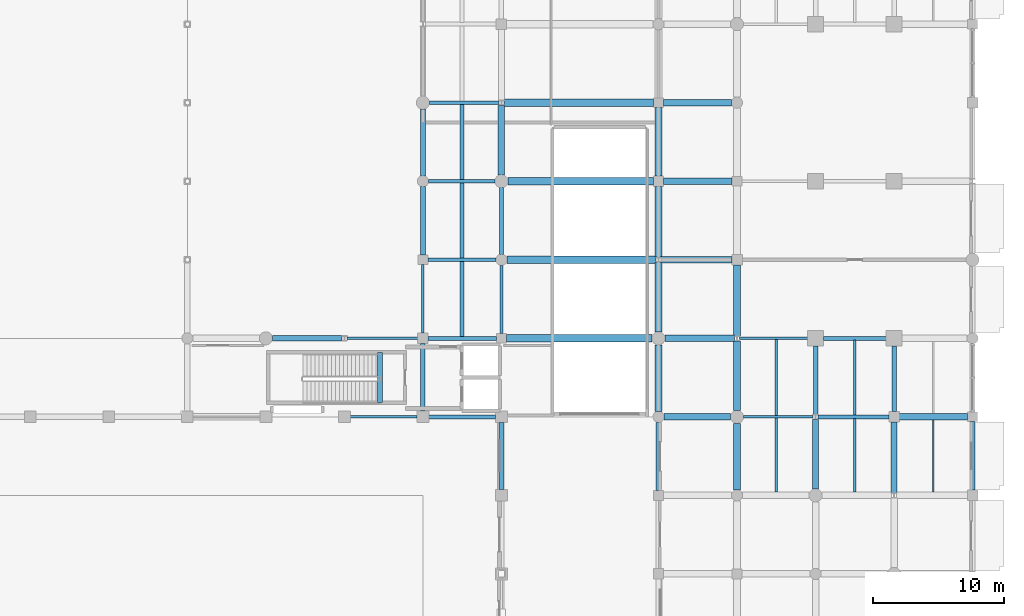
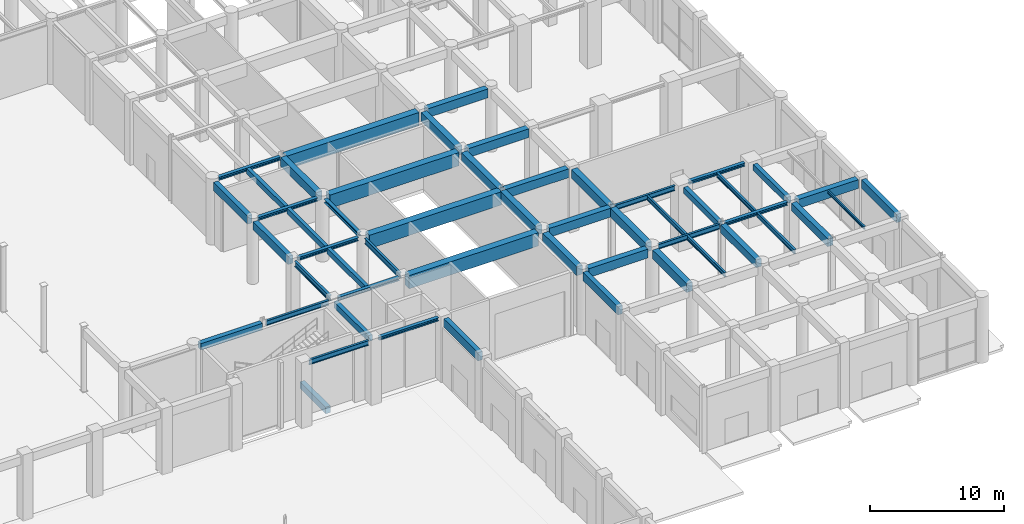
# One storey, part 56 of 106: 52 beams.
"""IFC4 building model written with IfcOpenShell, lengths in metres."""

import ifcopenshell
import ifcopenshell.guid

model = None  # the IFC model being written
_history = None  # IfcOwnerHistory: only IFC2X3 demands one
_inside = {}  # id of a spatial element -> (the spatial element, [elements in it])
_under = {}  # id of a project, library or spatial element -> (it, [spatial elements below it])
_declared = {}  # id of a project -> (the project, [libraries it declares])
_typed = {}  # id of a type object -> (the type object, [elements of that type])
_made_of = {}  # id of a material, layer set ... -> (it, [elements and type objects made of it])


def new_model(schema):
    """Start an empty IFC model of exactly this schema.

    Asked for "IFC4X3", IfcOpenShell would pick the latest addendum, in which some entities
    have other attributes; the version numbers below select the first issue.
    IFC2X3 requires an IfcOwnerHistory on every rooted entity: one is made here for all.
    """
    global model, _history
    if schema == "IFC4X3":
        model = ifcopenshell.file(schema_version=(4, 3, 0, 0))
    else:
        model = ifcopenshell.file(schema=schema)
    _inside.clear()
    _under.clear()
    _declared.clear()
    _typed.clear()
    _made_of.clear()
    _history = None
    if model.schema == "IFC2X3":
        org = make("IfcOrganization", Name="unknown")
        user = make(
            "IfcPersonAndOrganization",
            ThePerson=make("IfcPerson", FamilyName="unknown"),
            TheOrganization=org,
        )
        app = make(
            "IfcApplication",
            ApplicationDeveloper=org,
            Version="unknown",
            ApplicationFullName="unknown",
            ApplicationIdentifier="unknown",
        )
        _history = make(
            "IfcOwnerHistory",
            OwningUser=user,
            OwningApplication=app,
            ChangeAction="ADDED",
            CreationDate=0,
        )
    return model


def make(cls, **values):
    """One entity of the class cls with the attributes given. An attribute that is None is left unset."""
    return model.create_entity(
        cls, **{name: value for name, value in values.items() if value is not None}
    )


def rooted(cls, **values):
    """An entity with a GlobalId (a new one), such as an element, a storey or a relation."""
    return make(cls, GlobalId=ifcopenshell.guid.new(), OwnerHistory=_history, **values)


def si_unit(unit_type, name, prefix=None):
    """IfcSIUnit, for example si_unit("LENGTHUNIT", "METRE", prefix="MILLI")."""
    return make("IfcSIUnit", UnitType=unit_type, Prefix=prefix, Name=name)


def assignment(units):
    """IfcUnitAssignment: the units of a project."""
    return None if units is None else make("IfcUnitAssignment", Units=units)


def point(xyz):
    """IfcCartesianPoint."""
    return None if xyz is None else make("IfcCartesianPoint", Coordinates=xyz)


def direction(xyz):
    """IfcDirection."""
    return None if xyz is None else make("IfcDirection", DirectionRatios=xyz)


def frame(location, z_axis=None, x_axis=None):
    """IfcAxis2Placement3D, a coordinate frame: its origin and axes. An axis left out is left unset."""
    return make(
        "IfcAxis2Placement3D",
        Location=point(location),
        Axis=direction(z_axis),
        RefDirection=direction(x_axis),
    )


def frame_2d(location, x_axis=None):
    """IfcAxis2Placement2D, a coordinate frame in the plane: its origin and x axis."""
    return make(
        "IfcAxis2Placement2D", Location=point(location), RefDirection=direction(x_axis)
    )


def origin():
    """The frame at (0, 0, 0) with its axes left unset."""
    return frame((0.0, 0.0, 0.0))


def origin_2d():
    """The frame at (0, 0) in the plane with its x axis left unset."""
    return frame_2d((0.0, 0.0))


def place(relative_to, where):
    """IfcLocalPlacement: puts the frame where relative to a parent placement (None: the world)."""
    return make(
        "IfcLocalPlacement", PlacementRelTo=relative_to, RelativePlacement=where
    )


def context(
    kind, dimensions, precision=None, world=None, true_north=None, identifier=None
):
    """IfcGeometricRepresentationContext, for example the 3D "Model" context."""
    return make(
        "IfcGeometricRepresentationContext",
        ContextIdentifier=identifier,
        ContextType=kind,
        CoordinateSpaceDimension=dimensions,
        Precision=precision,
        WorldCoordinateSystem=world,
        TrueNorth=true_north,
    )


def subcontext(parent, identifier, kind, view, scale=None):
    """IfcGeometricRepresentationSubContext, for example "Body" below "Model"."""
    return make(
        "IfcGeometricRepresentationSubContext",
        ContextIdentifier=identifier,
        ContextType=kind,
        ParentContext=parent,
        TargetScale=scale,
        TargetView=view,
    )


def project(units=None, contexts=None):
    """IfcProject with its units and contexts."""
    return rooted(
        "IfcProject",
        Name="project",
        RepresentationContexts=contexts,
        UnitsInContext=assignment(units),
    )


def spatial(cls, under=None, at=None, **own):
    """A site, building, storey or space (cls), placed at a placement, below another one or the project."""
    s = rooted(cls, ObjectPlacement=at, **own)
    if under is not None:
        _under.setdefault(under.id(), (under, []))[1].append(s)
    return s


def profile(cls, at=None, kind="AREA", **sizes):
    """A parametric profile (cls). Its sizes go by their IFC names, for example OverallWidth=200.0."""
    return make(cls, ProfileType=kind, Position=at, **sizes)


def rectangle(**sizes):
    """IfcRectangleProfileDef."""
    return profile("IfcRectangleProfileDef", **sizes)


def i_section(**sizes):
    """IfcIShapeProfileDef."""
    return profile("IfcIShapeProfileDef", **sizes)


def extrude(swept, where, along, depth):
    """IfcExtrudedAreaSolid: the profile swept, set in the frame where, extruded along a direction by depth."""
    return make(
        "IfcExtrudedAreaSolid",
        SweptArea=swept,
        Position=where,
        ExtrudedDirection=direction(along),
        Depth=depth,
    )


def shape(context_of_items, identifier, shape_type, items):
    """IfcShapeRepresentation: the items that make up one representation, for example the "Body"."""
    return make(
        "IfcShapeRepresentation",
        ContextOfItems=context_of_items,
        RepresentationIdentifier=identifier,
        RepresentationType=shape_type,
        Items=items,
    )


def material(Name=None, Category=None):
    """IfcMaterial."""
    return make("IfcMaterial", Name=Name, Category=Category)


def material_profile(
    of_material, cross_section, Name=None, Category=None, Priority=None
):
    """IfcMaterialProfile: a cross section and its material."""
    return make(
        "IfcMaterialProfile",
        Name=Name,
        Material=of_material,
        Profile=cross_section,
        Priority=Priority,
        Category=Category,
    )


def profile_set(profiles, Name=None, composite=None):
    """IfcMaterialProfileSet."""
    return make(
        "IfcMaterialProfileSet",
        Name=Name,
        MaterialProfiles=profiles,
        CompositeProfile=composite,
    )


def made_of(thing, what):
    """Note that an element or type object is made of a material, layer set ...; save() writes the relation."""
    if what is not None:
        _made_of.setdefault(what.id(), (what, []))[1].append(thing)
    return thing


def type_object(cls, material=None, **own):
    """A type object (cls), such as IfcWallType, which elements share."""
    return made_of(rooted(cls, **own), material)


def element(
    cls,
    number,
    at=None,
    inside=None,
    cuts=None,
    type_object=None,
    material=None,
    context=None,
    identifier="Body",
    shape_type=None,
    held_by="IfcProductDefinitionShape",
    body=None,
    shapes=None,
    **own,
):
    """One element of the class cls, such as IfcWall. Its Tag is "e" and its number.

    at: its placement. inside: the storey or other place that contains it. cuts: it is an
    opening in that element (IfcRelVoidsElement). A single representation is given by context,
    identifier, shape_type and body (its items); several are given by shapes. held_by: the class
    of the entity that holds the representations. save() writes the other relations.
    """
    e = rooted(cls, Tag="e%d" % number, ObjectPlacement=at, **own)
    if body is not None:
        shapes = [shape(context, identifier, shape_type, body)]
    if shapes is not None:
        e.Representation = make(held_by, Representations=shapes)
    if inside is not None:
        _inside.setdefault(inside.id(), (inside, []))[1].append(e)
    if cuts is not None:
        rooted(
            "IfcRelVoidsElement", RelatingBuildingElement=cuts, RelatedOpeningElement=e
        )
    if type_object is not None:
        _typed.setdefault(type_object.id(), (type_object, []))[1].append(e)
    return made_of(e, material)


def aggregate(whole, parts):
    """IfcRelAggregates: a whole, such as a stair, and the parts it consists of."""
    return rooted("IfcRelAggregates", RelatingObject=whole, RelatedObjects=parts)


def save(model, path):
    """Write the relations noted so far, then the file.

    IfcRelAggregates (storeys below a building ...), IfcRelContainedInSpatialStructure (elements
    in a storey), IfcRelDefinesByType, IfcRelAssociatesMaterial and IfcRelDeclares: one each for
    every whole, place, type object, material and project.
    """
    for whole, parts in _under.values():
        aggregate(whole, parts)
    for where, things in _inside.values():
        rooted(
            "IfcRelContainedInSpatialStructure",
            RelatedElements=things,
            RelatingStructure=where,
        )
    for kind, things in _typed.values():
        rooted("IfcRelDefinesByType", RelatedObjects=things, RelatingType=kind)
    for what, things in _made_of.values():
        rooted("IfcRelAssociatesMaterial", RelatedObjects=things, RelatingMaterial=what)
    for by, libraries in _declared.values():
        rooted("IfcRelDeclares", RelatingContext=by, RelatedDefinitions=libraries)
    model.write(path)


model = new_model("IFC4")

# Units and contexts
model_context = context("Model", 3, precision=1e-05, world=origin(), true_north=direction((0.0, 1.0)))
body_context = subcontext(model_context, "Body", "Model", "MODEL_VIEW")
ifc_project = project(units=[si_unit("LENGTHUNIT", "METRE"), si_unit("AREAUNIT", "SQUARE_METRE"), si_unit("VOLUMEUNIT", "CUBIC_METRE"), si_unit("PLANEANGLEUNIT", "RADIAN"), si_unit("MASSUNIT", "GRAM", prefix="KILO"), si_unit("THERMODYNAMICTEMPERATUREUNIT", "KELVIN"), si_unit("POWERUNIT", "WATT")], contexts=[model_context])

# Site, building, storey
site_placement = place(None, origin())
site = spatial("IfcSite", under=ifc_project, at=site_placement, CompositionType="ELEMENT")
building_placement = place(site_placement, origin())
building = spatial("IfcBuilding", under=site, at=building_placement, Name="Phaisarnlok Congress Hotel", CompositionType="ELEMENT")
storey_placement = place(building_placement, origin())
storey = spatial("IfcBuildingStorey", under=building, at=storey_placement, Name="L00", CompositionType="ELEMENT", Elevation=0.0)

# Beams
ifc_material_1 = material(Name="Concrete C40/50", Category="concrete")
ifc_material_profile_1 = material_profile(ifc_material_1, rectangle(XDim=0.35009765625, YDim=0.550048828125, at=origin_2d()), Name="RC 350x550")
ifc_profile_set_1 = profile_set([ifc_material_profile_1], Name="Concrete C40/50")
beam_type_1 = type_object("IfcBeamType", Name="BM-RC-350x550", PredefinedType="BEAM", material=ifc_profile_set_1)
beam_1_placement = place(storey_placement, frame((138.0, 36.445068359375, 5.465087890625), z_axis=(0.0, 1.0, 0.0), x_axis=(-1.0, 0.0, 0.0)))
element("IfcBeam", 1, at=beam_1_placement, inside=storey, type_object=beam_type_1, Name="Beam B-01", PredefinedType="BEAM", context=body_context, shape_type="SweptSolid", body=[
    extrude(rectangle(XDim=0.35009765625, YDim=0.550048828125, at=origin_2d()), origin(), (0.0, 0.0, 1.0), 5.159912109375),
])
beam_2_placement = place(storey_placement, frame((168.0, 36.194580078125, 5.465087890625), z_axis=(0.0, 1.0, 0.0), x_axis=(-1.0, 0.0, 0.0)))
element("IfcBeam", 2, at=beam_2_placement, inside=storey, type_object=beam_type_1, Name="Beam B-01", PredefinedType="BEAM", context=body_context, shape_type="SweptSolid", body=[
    extrude(rectangle(XDim=0.35009765625, YDim=0.550048828125, at=origin_2d()), origin(), (0.0, 0.0, 1.0), 5.21044921875),
])
beam_3_placement = place(storey_placement, frame((174.0, 36.39501953125, 5.465087890625), z_axis=(0.0, 1.0, 0.0), x_axis=(-1.0, 0.0, 0.0)))
element("IfcBeam", 3, at=beam_3_placement, inside=storey, type_object=beam_type_1, Name="Beam B-01", PredefinedType="BEAM", context=body_context, shape_type="SweptSolid", body=[
    extrude(rectangle(XDim=0.35009765625, YDim=0.550048828125, at=origin_2d()), origin(), (0.0, 0.0, 1.0), 5.010009765625),
])
ifc_material_profile_2 = material_profile(ifc_material_1, rectangle(XDim=0.39990234375, YDim=0.60009765625, at=origin_2d()), Name="RC 400x600")
ifc_profile_set_2 = profile_set([ifc_material_profile_2], Name="Concrete C40/50")
beam_type_2 = type_object("IfcBeamType", Name="BM-RC-400x600", PredefinedType="BEAM", material=ifc_profile_set_2)
beam_4_placement = place(storey_placement, frame((126.4951171875, 42.0, 5.43994140625), z_axis=(1.0, 0.0, 0.0), x_axis=(0.0, 1.0, 0.0)))
element("IfcBeam", 4, at=beam_4_placement, inside=storey, type_object=beam_type_2, Name="Beam B-02", PredefinedType="BEAM", context=body_context, shape_type="SweptSolid", body=[
    extrude(rectangle(XDim=0.39990234375, YDim=0.60009765625, at=origin_2d()), origin(), (0.0, 0.0, 1.0), 5.309326171875),
])
beam_5_placement = place(storey_placement, frame((134.719970703125, 37.080078125, -0.300048828125), z_axis=(0.0, 1.0, 0.0), x_axis=(-1.0, 0.0, 0.0)))
element("IfcBeam", 5, at=beam_5_placement, inside=storey, type_object=beam_type_2, Name="Stair landing header beam B-02 (CORE-6 L00)", PredefinedType="BEAM", context=body_context, shape_type="SweptSolid", body=[
    extrude(rectangle(XDim=0.39990234375, YDim=0.60009765625, at=origin_2d()), origin(), (0.0, 0.0, 1.0), 3.83984375),
])
ifc_material_profile_3 = material_profile(ifc_material_1, rectangle(XDim=0.449951171875, YDim=0.699951171875, at=origin_2d()), Name="RC 450x700")
ifc_profile_set_3 = profile_set([ifc_material_profile_3], Name="Concrete C40/50")
beam_type_3 = type_object("IfcBeamType", Name="BM-RC-450x700", PredefinedType="BEAM", material=ifc_profile_set_3)
beam_6_placement = place(storey_placement, frame((168.0, 30.4951171875, 5.389892578125), z_axis=(0.0, 1.0, 0.0), x_axis=(-1.0, 0.0, 0.0)))
element("IfcBeam", 6, at=beam_6_placement, inside=storey, type_object=beam_type_3, Name="Beam B-03", PredefinedType="BEAM", context=body_context, shape_type="SweptSolid", body=[
    extrude(rectangle(XDim=0.449951171875, YDim=0.699951171875, at=origin_2d()), origin(), (0.0, 0.0, 1.0), 5.310302734375),
])
beam_7_placement = place(storey_placement, frame((174.0, 30.194580078125, 5.389892578125), z_axis=(0.0, 1.0, 0.0), x_axis=(-1.0, 0.0, 0.0)))
element("IfcBeam", 7, at=beam_7_placement, inside=storey, type_object=beam_type_3, Name="Beam B-03", PredefinedType="BEAM", context=body_context, shape_type="SweptSolid", body=[
    extrude(rectangle(XDim=0.449951171875, YDim=0.699951171875, at=origin_2d()), origin(), (0.0, 0.0, 1.0), 5.410400390625),
])
ifc_material_profile_4 = material_profile(ifc_material_1, rectangle(XDim=0.5, YDim=0.800048828125, at=origin_2d()), Name="RC 500x800")
ifc_profile_set_4 = profile_set([ifc_material_profile_4], Name="Concrete C40/50")
beam_type_4 = type_object("IfcBeamType", Name="BM-RC-500x800", PredefinedType="BEAM", material=ifc_profile_set_4)
beam_8_placement = place(storey_placement, frame((144.0, 54.4951171875, 5.340087890625), z_axis=(0.0, 1.0, 0.0), x_axis=(-1.0, 0.0, 0.0)))
element("IfcBeam", 8, at=beam_8_placement, inside=storey, type_object=beam_type_4, Name="Beam B-04", PredefinedType="BEAM", context=body_context, shape_type="SweptSolid", body=[
    extrude(rectangle(XDim=0.5, YDim=0.800048828125, at=origin_2d()), origin(), (0.0, 0.0, 1.0), 5.310302734375),
])
for number, where, z_axis, x_axis, name in (
    (9, (156.419921875, 36.0, 5.360107421875), (1.0, 0.0, 0.0), (0.0, 1.0, 0.0), "Beam B-04"),
    (10, (156.0, 36.419921875, 5.340087890625), (0.0, 1.0, 0.0), (-1.0, 0.0, 0.0), "Beam B-04"),
):
    element("IfcBeam", number, at=place(storey_placement, frame(where, z_axis=z_axis, x_axis=x_axis)), inside=storey, type_object=beam_type_4, Name=name, PredefinedType="BEAM", context=body_context, shape_type="SweptSolid", body=[
        extrude(rectangle(XDim=0.5, YDim=0.800048828125, at=origin_2d()), origin(), (0.0, 0.0, 1.0), 5.0849609375),
    ])
beam_9_placement = place(storey_placement, frame((156.4951171875, 42.0, 5.360107421875), z_axis=(1.0, 0.0, 0.0), x_axis=(0.0, 1.0, 0.0)))
element("IfcBeam", 11, at=beam_9_placement, inside=storey, type_object=beam_type_4, Name="Beam B-04", PredefinedType="BEAM", context=body_context, shape_type="SweptSolid", body=[
    extrude(rectangle(XDim=0.5, YDim=0.800048828125, at=origin_2d()), origin(), (0.0, 0.0, 1.0), 5.309326171875),
])
beam_10_placement = place(storey_placement, frame((156.0, 42.4951171875, 5.340087890625), z_axis=(0.0, 1.0, 0.0), x_axis=(-1.0, 0.0, 0.0)))
element("IfcBeam", 12, at=beam_10_placement, inside=storey, type_object=beam_type_4, Name="Beam B-04", PredefinedType="BEAM", context=body_context, shape_type="SweptSolid", body=[
    extrude(rectangle(XDim=0.5, YDim=0.800048828125, at=origin_2d()), origin(), (0.0, 0.0, 1.0), 5.310302734375),
])
beam_11_placement = place(storey_placement, frame((156.195556640625, 48.0, 5.360107421875), z_axis=(1.0, 0.0, 0.0), x_axis=(0.0, 1.0, 0.0)))
element("IfcBeam", 13, at=beam_11_placement, inside=storey, type_object=beam_type_4, Name="Beam B-04", PredefinedType="BEAM", context=body_context, shape_type="SweptSolid", body=[
    extrude(rectangle(XDim=0.5, YDim=0.800048828125, at=origin_2d()), origin(), (0.0, 0.0, 1.0), 5.409423828125),
])
beam_12_placement = place(storey_placement, frame((156.0, 48.194580078125, 5.340087890625), z_axis=(0.0, 1.0, 0.0), x_axis=(-1.0, 0.0, 0.0)))
element("IfcBeam", 14, at=beam_12_placement, inside=storey, type_object=beam_type_4, Name="Beam B-04", PredefinedType="BEAM", context=body_context, shape_type="SweptSolid", body=[
    extrude(rectangle(XDim=0.5, YDim=0.800048828125, at=origin_2d()), origin(), (0.0, 0.0, 1.0), 5.410400390625),
])
for number, where, z_axis, x_axis, name in (
    (15, (156.39501953125, 54.0, 5.360107421875), (1.0, 0.0, 0.0), (0.0, 1.0, 0.0), "Beam B-04"),
    (16, (156.0, 54.39501953125, 5.340087890625), (0.0, 1.0, 0.0), (-1.0, 0.0, 0.0), "Beam B-04"),
):
    element("IfcBeam", number, at=place(storey_placement, frame(where, z_axis=z_axis, x_axis=x_axis)), inside=storey, type_object=beam_type_4, Name=name, PredefinedType="BEAM", context=body_context, shape_type="SweptSolid", body=[
        extrude(rectangle(XDim=0.5, YDim=0.800048828125, at=origin_2d()), origin(), (0.0, 0.0, 1.0), 5.23486328125),
    ])
beam_13_placement = place(storey_placement, frame((156.3701171875, 60.0, 5.360107421875), z_axis=(1.0, 0.0, 0.0), x_axis=(0.0, 1.0, 0.0)))
element("IfcBeam", 17, at=beam_13_placement, inside=storey, type_object=beam_type_4, Name="Beam B-04", PredefinedType="BEAM", context=body_context, shape_type="SweptSolid", body=[
    extrude(rectangle(XDim=0.5, YDim=0.800048828125, at=origin_2d()), origin(), (0.0, 0.0, 1.0), 5.2099609375),
])
beam_14_placement = place(storey_placement, frame((162.0, 30.419921875, 5.340087890625), z_axis=(0.0, 1.0, 0.0), x_axis=(-1.0, 0.0, 0.0)))
element("IfcBeam", 18, at=beam_14_placement, inside=storey, type_object=beam_type_4, Name="Beam B-04", PredefinedType="BEAM", context=body_context, shape_type="SweptSolid", body=[
    extrude(rectangle(XDim=0.5, YDim=0.800048828125, at=origin_2d()), origin(), (0.0, 0.0, 1.0), 5.0849609375),
])
beam_15_placement = place(storey_placement, frame((162.0, 36.4951171875, 5.340087890625), z_axis=(0.0, 1.0, 0.0), x_axis=(-1.0, 0.0, 0.0)))
element("IfcBeam", 19, at=beam_15_placement, inside=storey, type_object=beam_type_4, Name="Beam B-04", PredefinedType="BEAM", context=body_context, shape_type="SweptSolid", body=[
    extrude(rectangle(XDim=0.5, YDim=0.800048828125, at=origin_2d()), origin(), (0.0, 0.0, 1.0), 5.310302734375),
])
beam_16_placement = place(storey_placement, frame((162.0, 42.194580078125, 5.340087890625), z_axis=(0.0, 1.0, 0.0), x_axis=(-1.0, 0.0, 0.0)))
element("IfcBeam", 20, at=beam_16_placement, inside=storey, type_object=beam_type_4, Name="Beam B-04", PredefinedType="BEAM", context=body_context, shape_type="SweptSolid", body=[
    extrude(rectangle(XDim=0.5, YDim=0.800048828125, at=origin_2d()), origin(), (0.0, 0.0, 1.0), 5.410400390625),
])
beam_17_placement = place(storey_placement, frame((174.39501953125, 36.0, 5.340087890625), z_axis=(1.0, 0.0, 0.0), x_axis=(0.0, 1.0, 0.0)))
element("IfcBeam", 21, at=beam_17_placement, inside=storey, type_object=beam_type_4, Name="Beam B-04", PredefinedType="BEAM", context=body_context, shape_type="SweptSolid", body=[
    extrude(rectangle(XDim=0.5, YDim=0.800048828125, at=origin_2d()), origin(), (0.0, 0.0, 1.0), 5.23486328125),
])
ifc_material_2 = material(Name="Concrete C50/60", Category="concrete")
ifc_material_profile_5 = material_profile(ifc_material_2, rectangle(XDim=0.60009765625, YDim=1.199951171875, at=origin_2d()), Name="RC 600x1200")
ifc_profile_set_5 = profile_set([ifc_material_profile_5], Name="Concrete C50/60")
beam_type_5 = type_object("IfcBeamType", Name="BM-RC-600x1200", PredefinedType="BEAM", material=ifc_profile_set_5)
beam_18_placement = place(storey_placement, frame((144.3701171875, 42.0, 5.139892578125), z_axis=(1.0, 0.0, 0.0), x_axis=(0.0, 1.0, 0.0)))
element("IfcBeam", 22, at=beam_18_placement, inside=storey, type_object=beam_type_5, Name="Ramp bay 12m girder B-06", PredefinedType="BEAM", context=body_context, shape_type="SweptSolid", body=[
    extrude(rectangle(XDim=0.60009765625, YDim=1.199951171875, at=origin_2d()), origin(), (0.0, 0.0, 1.0), 11.134765625),
])
beam_19_placement = place(storey_placement, frame((144.419921875, 48.0, 5.139892578125), z_axis=(1.0, 0.0, 0.0), x_axis=(0.0, 1.0, 0.0)))
element("IfcBeam", 23, at=beam_19_placement, inside=storey, type_object=beam_type_5, Name="Ramp bay 12m girder B-06", PredefinedType="BEAM", context=body_context, shape_type="SweptSolid", body=[
    extrude(rectangle(XDim=0.60009765625, YDim=1.199951171875, at=origin_2d()), origin(), (0.0, 0.0, 1.0), 11.384521484375),
])
beam_20_placement = place(storey_placement, frame((144.4951171875, 54.0, 5.139892578125), z_axis=(1.0, 0.0, 0.0), x_axis=(0.0, 1.0, 0.0)))
element("IfcBeam", 24, at=beam_20_placement, inside=storey, type_object=beam_type_5, Name="Ramp bay 12m girder B-06", PredefinedType="BEAM", context=body_context, shape_type="SweptSolid", body=[
    extrude(rectangle(XDim=0.60009765625, YDim=1.199951171875, at=origin_2d()), origin(), (0.0, 0.0, 1.0), 11.10986328125),
])
beam_21_placement = place(storey_placement, frame((144.195556640625, 60.0, 5.139892578125), z_axis=(1.0, 0.0, 0.0), x_axis=(0.0, 1.0, 0.0)))
element("IfcBeam", 25, at=beam_21_placement, inside=storey, type_object=beam_type_5, Name="Ramp bay 12m girder B-06", PredefinedType="BEAM", context=body_context, shape_type="SweptSolid", body=[
    extrude(rectangle(XDim=0.60009765625, YDim=1.199951171875, at=origin_2d()), origin(), (0.0, 0.0, 1.0), 11.434326171875),
])
ifc_material_3 = material(Name="Steel S355", Category="steel")
ifc_material_profile_6 = material_profile(ifc_material_3, i_section(OverallWidth=0.300048828125, OverallDepth=0.2900390625, WebThickness=0.008544921875, FlangeThickness=0.013916015625, FilletRadius=0.027099609375, at=origin_2d()), Name="HEA 300")
ifc_profile_set_6 = profile_set([ifc_material_profile_6], Name="Steel S355")
beam_type_6 = type_object("IfcBeamType", Name="BM-STL-HEA300", PredefinedType="BEAM", material=ifc_profile_set_6)
beam_22_placement = place(storey_placement, frame((138.445068359375, 36.0, 5.594970703125), z_axis=(1.0, 0.0, 0.0), x_axis=(0.0, 1.0, 0.0)))
element("IfcBeam", 26, at=beam_22_placement, inside=storey, type_object=beam_type_6, Name="Beam SB-05", PredefinedType="BEAM", context=body_context, shape_type="SweptSolid", body=[
    extrude(i_section(OverallWidth=0.300048828125, OverallDepth=0.2900390625, WebThickness=0.008544921875, FlangeThickness=0.013916015625, FilletRadius=0.027099609375, at=origin_2d()), origin(), (0.0, 0.0, 1.0), 5.10986328125),
])
beam_23_placement = place(storey_placement, frame((138.39501953125, 42.0, 5.594970703125), z_axis=(1.0, 0.0, 0.0), x_axis=(0.0, 1.0, 0.0)))
element("IfcBeam", 27, at=beam_23_placement, inside=storey, type_object=beam_type_6, Name="Beam SB-05", PredefinedType="BEAM", context=body_context, shape_type="SweptSolid", body=[
    extrude(i_section(OverallWidth=0.300048828125, OverallDepth=0.2900390625, WebThickness=0.008544921875, FlangeThickness=0.013916015625, FilletRadius=0.027099609375, at=origin_2d()), origin(), (0.0, 0.0, 1.0), 5.23486328125),
])
beam_24_placement = place(storey_placement, frame((138.3701171875, 48.0, 5.594970703125), z_axis=(1.0, 0.0, 0.0), x_axis=(0.0, 1.0, 0.0)))
element("IfcBeam", 28, at=beam_24_placement, inside=storey, type_object=beam_type_6, Name="Beam SB-05", PredefinedType="BEAM", context=body_context, shape_type="SweptSolid", body=[
    extrude(i_section(OverallWidth=0.300048828125, OverallDepth=0.2900390625, WebThickness=0.008544921875, FlangeThickness=0.013916015625, FilletRadius=0.027099609375, at=origin_2d()), origin(), (0.0, 0.0, 1.0), 5.2099609375),
])
beam_25_placement = place(storey_placement, frame((138.419921875, 54.0, 5.594970703125), z_axis=(1.0, 0.0, 0.0), x_axis=(0.0, 1.0, 0.0)))
element("IfcBeam", 29, at=beam_25_placement, inside=storey, type_object=beam_type_6, Name="Beam SB-05", PredefinedType="BEAM", context=body_context, shape_type="SweptSolid", body=[
    extrude(i_section(OverallWidth=0.300048828125, OverallDepth=0.2900390625, WebThickness=0.008544921875, FlangeThickness=0.013916015625, FilletRadius=0.027099609375, at=origin_2d()), origin(), (0.0, 0.0, 1.0), 5.0849609375),
])
beam_26_placement = place(storey_placement, frame((138.4951171875, 60.0, 5.594970703125), z_axis=(1.0, 0.0, 0.0), x_axis=(0.0, 1.0, 0.0)))
element("IfcBeam", 30, at=beam_26_placement, inside=storey, type_object=beam_type_6, Name="Beam SB-05", PredefinedType="BEAM", context=body_context, shape_type="SweptSolid", body=[
    extrude(i_section(OverallWidth=0.300048828125, OverallDepth=0.2900390625, WebThickness=0.008544921875, FlangeThickness=0.013916015625, FilletRadius=0.027099609375, at=origin_2d()), origin(), (0.0, 0.0, 1.0), 5.309326171875),
])
beam_27_placement = place(storey_placement, frame((168.195556640625, 36.0, 5.594970703125), z_axis=(1.0, 0.0, 0.0), x_axis=(0.0, 1.0, 0.0)))
element("IfcBeam", 31, at=beam_27_placement, inside=storey, type_object=beam_type_6, Name="Beam SB-05", PredefinedType="BEAM", context=body_context, shape_type="SweptSolid", body=[
    extrude(i_section(OverallWidth=0.300048828125, OverallDepth=0.2900390625, WebThickness=0.008544921875, FlangeThickness=0.013916015625, FilletRadius=0.027099609375, at=origin_2d()), origin(), (0.0, 0.0, 1.0), 5.409423828125),
])
beam_28_placement = place(storey_placement, frame((168.594970703125, 42.0, 5.594970703125), z_axis=(1.0, 0.0, 0.0), x_axis=(0.0, 1.0, 0.0)))
element("IfcBeam", 32, at=beam_28_placement, inside=storey, type_object=beam_type_6, Name="Beam SB-05", PredefinedType="BEAM", context=body_context, shape_type="SweptSolid", body=[
    extrude(i_section(OverallWidth=0.300048828125, OverallDepth=0.2900390625, WebThickness=0.008544921875, FlangeThickness=0.013916015625, FilletRadius=0.027099609375, at=origin_2d()), origin(), (0.0, 0.0, 1.0), 4.81005859375),
])
ifc_material_profile_7 = material_profile(ifc_material_3, i_section(OverallWidth=0.300048828125, OverallDepth=0.340087890625, WebThickness=0.011962890625, FlangeThickness=0.021484375, FilletRadius=0.027099609375, at=origin_2d()), Name="HEB 340")
ifc_profile_set_7 = profile_set([ifc_material_profile_7], Name="Steel S355")
beam_type_7 = type_object("IfcBeamType", Name="BM-STL-HEB340", PredefinedType="BEAM", material=ifc_profile_set_7)
beam_29_placement = place(storey_placement, frame((144.0, 48.419921875, 5.570068359375), z_axis=(0.0, 1.0, 0.0), x_axis=(-1.0, 0.0, 0.0)))
element("IfcBeam", 33, at=beam_29_placement, inside=storey, type_object=beam_type_7, Name="Beam SB-07", PredefinedType="BEAM", context=body_context, shape_type="SweptSolid", body=[
    extrude(i_section(OverallWidth=0.300048828125, OverallDepth=0.340087890625, WebThickness=0.011962890625, FlangeThickness=0.021484375, FilletRadius=0.027099609375, at=origin_2d()), origin(), (0.0, 0.0, 1.0), 5.0849609375),
])
ifc_material_profile_8 = material_profile(ifc_material_3, i_section(OverallWidth=0.18994140625, OverallDepth=0.449951171875, WebThickness=0.009521484375, FlangeThickness=0.0146484375, FilletRadius=0.02099609375, at=origin_2d()), Name="IPE 450")
ifc_profile_set_8 = profile_set([ifc_material_profile_8], Name="Steel S355")
beam_type_8 = type_object("IfcBeamType", Name="BM-STL-IPE450", PredefinedType="BEAM", material=ifc_profile_set_8)
beam_30_placement = place(storey_placement, frame((132.445068359375, 36.0, 5.514892578125), z_axis=(1.0, 0.0, 0.0), x_axis=(0.0, 1.0, 0.0)))
element("IfcBeam", 34, at=beam_30_placement, inside=storey, type_object=beam_type_8, Name="Beam SB-01", PredefinedType="BEAM", context=body_context, shape_type="SweptSolid", body=[
    extrude(i_section(OverallWidth=0.18994140625, OverallDepth=0.449951171875, WebThickness=0.009521484375, FlangeThickness=0.0146484375, FilletRadius=0.02099609375, at=origin_2d()), origin(), (0.0, 0.0, 1.0), 5.10986328125),
])
beam_31_placement = place(storey_placement, frame((132.195556640625, 42.0, 5.514892578125), z_axis=(1.0, 0.0, 0.0), x_axis=(0.0, 1.0, 0.0)))
element("IfcBeam", 35, at=beam_31_placement, inside=storey, type_object=beam_type_8, Name="Beam SB-01", PredefinedType="BEAM", context=body_context, shape_type="SweptSolid", body=[
    extrude(i_section(OverallWidth=0.18994140625, OverallDepth=0.449951171875, WebThickness=0.009521484375, FlangeThickness=0.0146484375, FilletRadius=0.02099609375, at=origin_2d()), origin(), (0.0, 0.0, 1.0), 5.409423828125),
])
beam_32_placement = place(storey_placement, frame((162.4951171875, 36.0, 5.514892578125), z_axis=(1.0, 0.0, 0.0), x_axis=(0.0, 1.0, 0.0)))
element("IfcBeam", 36, at=beam_32_placement, inside=storey, type_object=beam_type_8, Name="Beam SB-01", PredefinedType="BEAM", context=body_context, shape_type="SweptSolid", body=[
    extrude(i_section(OverallWidth=0.18994140625, OverallDepth=0.449951171875, WebThickness=0.009521484375, FlangeThickness=0.0146484375, FilletRadius=0.02099609375, at=origin_2d()), origin(), (0.0, 0.0, 1.0), 5.309326171875),
])
beam_33_placement = place(storey_placement, frame((162.195556640625, 42.0, 5.514892578125), z_axis=(1.0, 0.0, 0.0), x_axis=(0.0, 1.0, 0.0)))
element("IfcBeam", 37, at=beam_33_placement, inside=storey, type_object=beam_type_8, Name="Beam SB-01", PredefinedType="BEAM", context=body_context, shape_type="SweptSolid", body=[
    extrude(i_section(OverallWidth=0.18994140625, OverallDepth=0.449951171875, WebThickness=0.009521484375, FlangeThickness=0.0146484375, FilletRadius=0.02099609375, at=origin_2d()), origin(), (0.0, 0.0, 1.0), 5.20947265625),
])
ifc_material_profile_9 = material_profile(ifc_material_3, i_section(OverallWidth=0.199951171875, OverallDepth=0.5, WebThickness=0.01025390625, FlangeThickness=0.01611328125, FilletRadius=0.02099609375, at=origin_2d()), Name="IPE 500")
ifc_profile_set_9 = profile_set([ifc_material_profile_9], Name="Steel S355")
beam_type_9 = type_object("IfcBeamType", Name="BM-STL-IPE500", PredefinedType="BEAM", material=ifc_profile_set_9)
beam_34_placement = place(storey_placement, frame((138.0, 42.39501953125, 5.489990234375), z_axis=(0.0, 1.0, 0.0), x_axis=(-1.0, 0.0, 0.0)))
element("IfcBeam", 38, at=beam_34_placement, inside=storey, type_object=beam_type_9, Name="Beam SB-02", PredefinedType="BEAM", context=body_context, shape_type="SweptSolid", body=[
    extrude(i_section(OverallWidth=0.199951171875, OverallDepth=0.5, WebThickness=0.01025390625, FlangeThickness=0.01611328125, FilletRadius=0.02099609375, at=origin_2d()), origin(), (0.0, 0.0, 1.0), 5.23486328125),
])
beam_35_placement = place(storey_placement, frame((144.0, 42.3701171875, 5.489990234375), z_axis=(0.0, 1.0, 0.0), x_axis=(-1.0, 0.0, 0.0)))
element("IfcBeam", 39, at=beam_35_placement, inside=storey, type_object=beam_type_9, Name="Beam SB-02", PredefinedType="BEAM", context=body_context, shape_type="SweptSolid", body=[
    extrude(i_section(OverallWidth=0.199951171875, OverallDepth=0.5, WebThickness=0.01025390625, FlangeThickness=0.01611328125, FilletRadius=0.02099609375, at=origin_2d()), origin(), (0.0, 0.0, 1.0), 5.2099609375),
])
ifc_material_profile_10 = material_profile(ifc_material_1, rectangle(XDim=0.300048828125, YDim=0.5, at=origin_2d()), Name="RC 300x500")
ifc_profile_set_10 = profile_set([ifc_material_profile_10], Name="Concrete C40/50")
beam_type_10 = type_object("IfcBeamType", Name="JS-RC-300x500", PredefinedType="JOIST", material=ifc_profile_set_10)
for number, where, z_axis, x_axis, name in (
    (40, (141.0, 42.14501953125, 5.489990234375), (0.0, 1.0, 0.0), (-1.0, 0.0, 0.0), "Secondary floor joist J-01"),
    (41, (141.0, 48.14501953125, 5.489990234375), (0.0, 1.0, 0.0), (-1.0, 0.0, 0.0), "Secondary floor joist J-01"),
    (42, (141.0, 54.14501953125, 5.489990234375), (0.0, 1.0, 0.0), (-1.0, 0.0, 0.0), "Secondary floor joist J-01"),
):
    element("IfcBeam", number, at=place(storey_placement, frame(where, z_axis=z_axis, x_axis=x_axis)), inside=storey, type_object=beam_type_10, Name=name, PredefinedType="JOIST", context=body_context, shape_type="SweptSolid", body=[
        extrude(rectangle(XDim=0.300048828125, YDim=0.5, at=origin_2d()), origin(), (0.0, 0.0, 1.0), 5.7099609375),
    ])
ifc_material_profile_11 = material_profile(ifc_material_3, i_section(OverallWidth=0.135009765625, OverallDepth=0.27001953125, WebThickness=0.006591796875, FlangeThickness=0.01025390625, FilletRadius=0.014892578125, at=origin_2d()), Name="IPE 270")
ifc_profile_set_11 = profile_set([ifc_material_profile_11], Name="Steel S355")
beam_type_11 = type_object("IfcBeamType", Name="JS-STL-IPE270", PredefinedType="JOIST", material=ifc_profile_set_11)
beam_36_placement = place(storey_placement, frame((177.0, 30.2451171875, 5.60498046875), z_axis=(0.0, 1.0, 0.0), x_axis=(-1.0, 0.0, 0.0)))
element("IfcBeam", 43, at=beam_36_placement, inside=storey, type_object=beam_type_11, Name="Secondary floor joist J-02", PredefinedType="JOIST", context=body_context, shape_type="SweptSolid", body=[
    extrude(i_section(OverallWidth=0.135009765625, OverallDepth=0.27001953125, WebThickness=0.006591796875, FlangeThickness=0.01025390625, FilletRadius=0.014892578125, at=origin_2d()), origin(), (0.0, 0.0, 1.0), 5.509765625),
])
ifc_material_profile_12 = material_profile(ifc_material_3, i_section(OverallWidth=0.179931640625, OverallDepth=0.39990234375, WebThickness=0.008544921875, FlangeThickness=0.013427734375, FilletRadius=0.02099609375, at=origin_2d()), Name="IPE 400")
ifc_profile_set_12 = profile_set([ifc_material_profile_12], Name="Steel S355")
beam_type_12 = type_object("IfcBeamType", Name="JS-STL-IPE400", PredefinedType="JOIST", material=ifc_profile_set_12)
beam_37_placement = place(storey_placement, frame((165.0, 30.2451171875, 5.5400390625), z_axis=(0.0, 1.0, 0.0), x_axis=(-1.0, 0.0, 0.0)))
element("IfcBeam", 44, at=beam_37_placement, inside=storey, type_object=beam_type_12, Name="Secondary floor joist J-05", PredefinedType="JOIST", context=body_context, shape_type="SweptSolid", body=[
    extrude(i_section(OverallWidth=0.179931640625, OverallDepth=0.39990234375, WebThickness=0.008544921875, FlangeThickness=0.013427734375, FilletRadius=0.02099609375, at=origin_2d()), origin(), (0.0, 0.0, 1.0), 5.664794921875),
])
beam_38_placement = place(storey_placement, frame((165.0, 36.090087890625, 5.5400390625), z_axis=(0.0, 1.0, 0.0), x_axis=(-1.0, 0.0, 0.0)))
element("IfcBeam", 45, at=beam_38_placement, inside=storey, type_object=beam_type_12, Name="Secondary floor joist J-05", PredefinedType="JOIST", context=body_context, shape_type="SweptSolid", body=[
    extrude(i_section(OverallWidth=0.179931640625, OverallDepth=0.39990234375, WebThickness=0.008544921875, FlangeThickness=0.013427734375, FilletRadius=0.02099609375, at=origin_2d()), origin(), (0.0, 0.0, 1.0), 5.81982421875),
])
beam_39_placement = place(storey_placement, frame((171.0, 30.2451171875, 5.5400390625), z_axis=(0.0, 1.0, 0.0), x_axis=(-1.0, 0.0, 0.0)))
element("IfcBeam", 46, at=beam_39_placement, inside=storey, type_object=beam_type_12, Name="Secondary floor joist J-05", PredefinedType="JOIST", context=body_context, shape_type="SweptSolid", body=[
    extrude(i_section(OverallWidth=0.179931640625, OverallDepth=0.39990234375, WebThickness=0.008544921875, FlangeThickness=0.013427734375, FilletRadius=0.02099609375, at=origin_2d()), origin(), (0.0, 0.0, 1.0), 5.60986328125),
])
beam_40_placement = place(storey_placement, frame((171.0, 36.14501953125, 5.5400390625), z_axis=(0.0, 1.0, 0.0), x_axis=(-1.0, 0.0, 0.0)))
element("IfcBeam", 47, at=beam_40_placement, inside=storey, type_object=beam_type_12, Name="Secondary floor joist J-05", PredefinedType="JOIST", context=body_context, shape_type="SweptSolid", body=[
    extrude(i_section(OverallWidth=0.179931640625, OverallDepth=0.39990234375, WebThickness=0.008544921875, FlangeThickness=0.013427734375, FilletRadius=0.02099609375, at=origin_2d()), origin(), (0.0, 0.0, 1.0), 5.7099609375),
])
ifc_material_profile_13 = material_profile(ifc_material_1, rectangle(XDim=0.39990234375, YDim=0.75, at=origin_2d()), Name="RC 400x750")
ifc_profile_set_13 = profile_set([ifc_material_profile_13], Name="Concrete C40/50")
beam_type_13 = type_object("IfcBeamType", Name="SP-RC-400x750", PredefinedType="SPANDREL", material=ifc_profile_set_13)
beam_41_placement = place(storey_placement, frame((138.0, 48.3701171875, 5.364990234375), z_axis=(0.0, 1.0, 0.0), x_axis=(-1.0, 0.0, 0.0)))
element("IfcBeam", 48, at=beam_41_placement, inside=storey, type_object=beam_type_13, Name="Beam SP-02", PredefinedType="SPANDREL", context=body_context, shape_type="SweptSolid", body=[
    extrude(rectangle(XDim=0.39990234375, YDim=0.75, at=origin_2d()), origin(), (0.0, 0.0, 1.0), 5.2099609375),
])
beam_42_placement = place(storey_placement, frame((138.0, 54.419921875, 5.364990234375), z_axis=(0.0, 1.0, 0.0), x_axis=(-1.0, 0.0, 0.0)))
element("IfcBeam", 49, at=beam_42_placement, inside=storey, type_object=beam_type_13, Name="Beam SP-02", PredefinedType="SPANDREL", context=body_context, shape_type="SweptSolid", body=[
    extrude(rectangle(XDim=0.39990234375, YDim=0.75, at=origin_2d()), origin(), (0.0, 0.0, 1.0), 5.0849609375),
])
beam_43_placement = place(storey_placement, frame((144.0, 30.445068359375, 5.364990234375), z_axis=(0.0, 1.0, 0.0), x_axis=(-1.0, 0.0, 0.0)))
element("IfcBeam", 50, at=beam_43_placement, inside=storey, type_object=beam_type_13, Name="Beam SP-02", PredefinedType="SPANDREL", context=body_context, shape_type="SweptSolid", body=[
    extrude(rectangle(XDim=0.39990234375, YDim=0.75, at=origin_2d()), origin(), (0.0, 0.0, 1.0), 5.10986328125),
])
beam_44_placement = place(storey_placement, frame((156.0, 30.3701171875, 5.385009765625), z_axis=(0.0, 1.0, 0.0), x_axis=(-1.0, 0.0, 0.0)))
element("IfcBeam", 51, at=beam_44_placement, inside=storey, type_object=beam_type_13, Name="Beam SP-02", PredefinedType="SPANDREL", context=body_context, shape_type="SweptSolid", body=[
    extrude(rectangle(XDim=0.39990234375, YDim=0.75, at=origin_2d()), origin(), (0.0, 0.0, 1.0), 5.2099609375),
])
beam_45_placement = place(storey_placement, frame((180.0, 30.39501953125, 5.364990234375), z_axis=(0.0, 1.0, 0.0), x_axis=(-1.0, 0.0, 0.0)))
element("IfcBeam", 52, at=beam_45_placement, inside=storey, type_object=beam_type_13, Name="Beam SP-02", PredefinedType="SPANDREL", context=body_context, shape_type="SweptSolid", body=[
    extrude(rectangle(XDim=0.39990234375, YDim=0.75, at=origin_2d()), origin(), (0.0, 0.0, 1.0), 5.23486328125),
])

save(model, "model.ifc")
